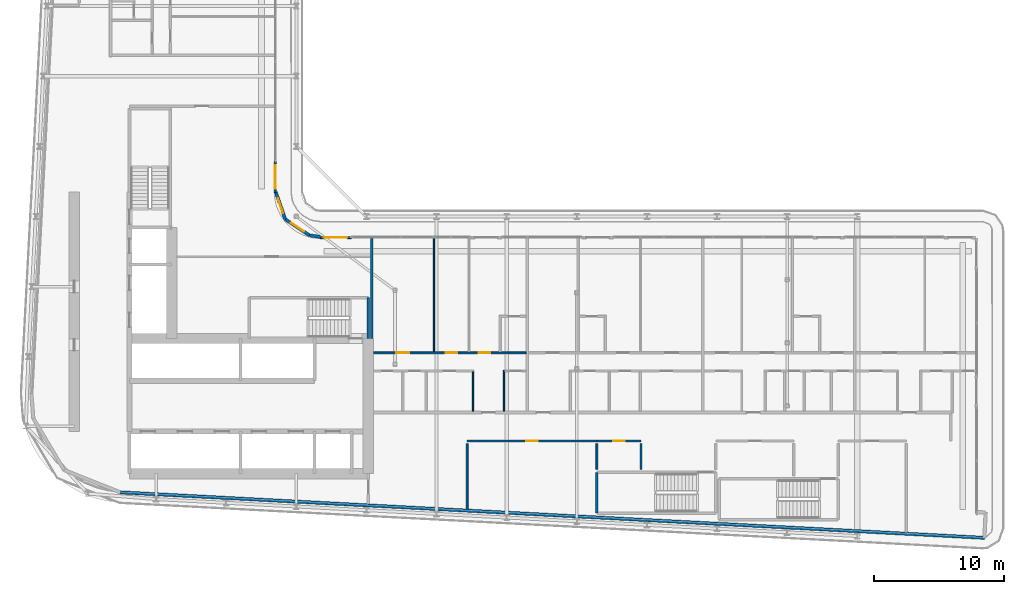
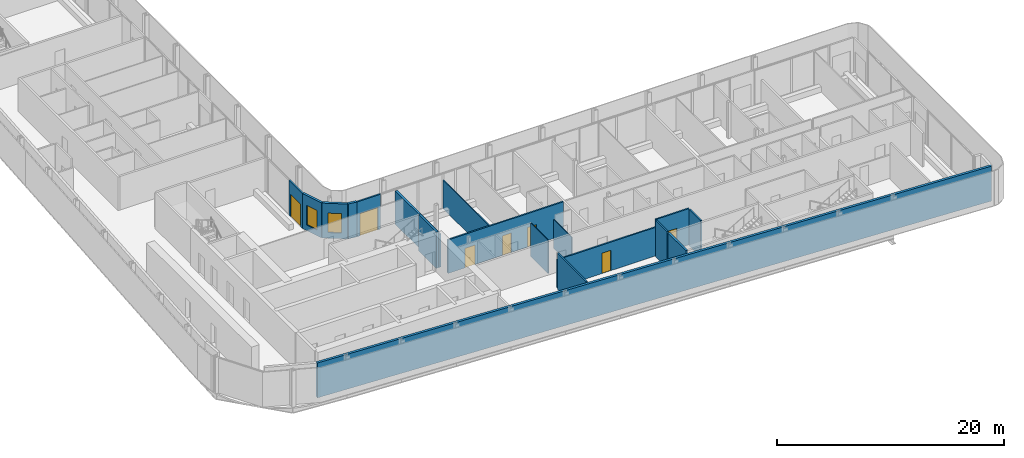
# One storey, part 15 of 29: 18 walls, 7 doors, 2 windows, 9 openings.
"""IFC4 building model written with IfcOpenShell, lengths in metres."""

import ifcopenshell
import ifcopenshell.guid

model = None  # the IFC model being written
_history = None  # IfcOwnerHistory: only IFC2X3 demands one
_inside = {}  # id of a spatial element -> (the spatial element, [elements in it])
_under = {}  # id of a project, library or spatial element -> (it, [spatial elements below it])
_declared = {}  # id of a project -> (the project, [libraries it declares])
_typed = {}  # id of a type object -> (the type object, [elements of that type])
_made_of = {}  # id of a material, layer set ... -> (it, [elements and type objects made of it])


def new_model(schema):
    """Start an empty IFC model of exactly this schema.

    Asked for "IFC4X3", IfcOpenShell would pick the latest addendum, in which some entities
    have other attributes; the version numbers below select the first issue.
    IFC2X3 requires an IfcOwnerHistory on every rooted entity: one is made here for all.
    """
    global model, _history
    if schema == "IFC4X3":
        model = ifcopenshell.file(schema_version=(4, 3, 0, 0))
    else:
        model = ifcopenshell.file(schema=schema)
    _inside.clear()
    _under.clear()
    _declared.clear()
    _typed.clear()
    _made_of.clear()
    _history = None
    if model.schema == "IFC2X3":
        org = make("IfcOrganization", Name="unknown")
        user = make(
            "IfcPersonAndOrganization",
            ThePerson=make("IfcPerson", FamilyName="unknown"),
            TheOrganization=org,
        )
        app = make(
            "IfcApplication",
            ApplicationDeveloper=org,
            Version="unknown",
            ApplicationFullName="unknown",
            ApplicationIdentifier="unknown",
        )
        _history = make(
            "IfcOwnerHistory",
            OwningUser=user,
            OwningApplication=app,
            ChangeAction="ADDED",
            CreationDate=0,
        )
    return model


def make(cls, **values):
    """One entity of the class cls with the attributes given. An attribute that is None is left unset."""
    return model.create_entity(
        cls, **{name: value for name, value in values.items() if value is not None}
    )


def rooted(cls, **values):
    """An entity with a GlobalId (a new one), such as an element, a storey or a relation."""
    return make(cls, GlobalId=ifcopenshell.guid.new(), OwnerHistory=_history, **values)


def si_unit(unit_type, name, prefix=None):
    """IfcSIUnit, for example si_unit("LENGTHUNIT", "METRE", prefix="MILLI")."""
    return make("IfcSIUnit", UnitType=unit_type, Prefix=prefix, Name=name)


def assignment(units):
    """IfcUnitAssignment: the units of a project."""
    return None if units is None else make("IfcUnitAssignment", Units=units)


def point(xyz):
    """IfcCartesianPoint."""
    return None if xyz is None else make("IfcCartesianPoint", Coordinates=xyz)


def direction(xyz):
    """IfcDirection."""
    return None if xyz is None else make("IfcDirection", DirectionRatios=xyz)


def frame(location, z_axis=None, x_axis=None):
    """IfcAxis2Placement3D, a coordinate frame: its origin and axes. An axis left out is left unset."""
    return make(
        "IfcAxis2Placement3D",
        Location=point(location),
        Axis=direction(z_axis),
        RefDirection=direction(x_axis),
    )


def frame_2d(location, x_axis=None):
    """IfcAxis2Placement2D, a coordinate frame in the plane: its origin and x axis."""
    return make(
        "IfcAxis2Placement2D", Location=point(location), RefDirection=direction(x_axis)
    )


def origin():
    """The frame at (0, 0, 0) with its axes left unset."""
    return frame((0.0, 0.0, 0.0))


def place(relative_to, where):
    """IfcLocalPlacement: puts the frame where relative to a parent placement (None: the world)."""
    return make(
        "IfcLocalPlacement", PlacementRelTo=relative_to, RelativePlacement=where
    )


def context(
    kind, dimensions, precision=None, world=None, true_north=None, identifier=None
):
    """IfcGeometricRepresentationContext, for example the 3D "Model" context."""
    return make(
        "IfcGeometricRepresentationContext",
        ContextIdentifier=identifier,
        ContextType=kind,
        CoordinateSpaceDimension=dimensions,
        Precision=precision,
        WorldCoordinateSystem=world,
        TrueNorth=true_north,
    )


def subcontext(parent, identifier, kind, view, scale=None):
    """IfcGeometricRepresentationSubContext, for example "Body" below "Model"."""
    return make(
        "IfcGeometricRepresentationSubContext",
        ContextIdentifier=identifier,
        ContextType=kind,
        ParentContext=parent,
        TargetScale=scale,
        TargetView=view,
    )


def project(units=None, contexts=None):
    """IfcProject with its units and contexts."""
    return rooted(
        "IfcProject",
        Name="project",
        RepresentationContexts=contexts,
        UnitsInContext=assignment(units),
    )


def spatial(cls, under=None, at=None, **own):
    """A site, building, storey or space (cls), placed at a placement, below another one or the project."""
    s = rooted(cls, ObjectPlacement=at, **own)
    if under is not None:
        _under.setdefault(under.id(), (under, []))[1].append(s)
    return s


def profile(cls, at=None, kind="AREA", **sizes):
    """A parametric profile (cls). Its sizes go by their IFC names, for example OverallWidth=200.0."""
    return make(cls, ProfileType=kind, Position=at, **sizes)


def rectangle(**sizes):
    """IfcRectangleProfileDef."""
    return profile("IfcRectangleProfileDef", **sizes)


def extrude(swept, where, along, depth):
    """IfcExtrudedAreaSolid: the profile swept, set in the frame where, extruded along a direction by depth."""
    return make(
        "IfcExtrudedAreaSolid",
        SweptArea=swept,
        Position=where,
        ExtrudedDirection=direction(along),
        Depth=depth,
    )


def shape(context_of_items, identifier, shape_type, items):
    """IfcShapeRepresentation: the items that make up one representation, for example the "Body"."""
    return make(
        "IfcShapeRepresentation",
        ContextOfItems=context_of_items,
        RepresentationIdentifier=identifier,
        RepresentationType=shape_type,
        Items=items,
    )


def source(mapping_origin, context_of_items, identifier, shape_type, items):
    """IfcRepresentationMap: a shape defined once, which mapped items show again and again."""
    return make(
        "IfcRepresentationMap",
        MappingOrigin=mapping_origin,
        MappedRepresentation=shape(context_of_items, identifier, shape_type, items),
    )


def transform(
    local_origin,
    x_axis=None,
    y_axis=None,
    z_axis=None,
    scale=None,
    scale2=None,
    scale3=None,
    uniform=True,
):
    """IfcCartesianTransformationOperator3D, or its non-uniform kind. x_axis, y_axis, z_axis: its Axis1, 2, 3."""
    if uniform:
        return make(
            "IfcCartesianTransformationOperator3D",
            Axis1=direction(x_axis),
            Axis2=direction(y_axis),
            LocalOrigin=point(local_origin),
            Scale=scale,
            Axis3=direction(z_axis),
        )
    return make(
        "IfcCartesianTransformationOperator3DnonUniform",
        Axis1=direction(x_axis),
        Axis2=direction(y_axis),
        LocalOrigin=point(local_origin),
        Scale=scale,
        Axis3=direction(z_axis),
        Scale2=scale2,
        Scale3=scale3,
    )


def mapped(mapping_source, mapping_target):
    """IfcMappedItem: shows the shape of a source again, moved by a transform."""
    return make(
        "IfcMappedItem", MappingSource=mapping_source, MappingTarget=mapping_target
    )


def material(Name=None, Category=None):
    """IfcMaterial."""
    return make("IfcMaterial", Name=Name, Category=Category)


def layer(
    of_material, thickness, ventilated=None, Name=None, Category=None, Priority=None
):
    """IfcMaterialLayer: one layer of a wall or slab, of a material (None: an air gap)."""
    return make(
        "IfcMaterialLayer",
        Material=of_material,
        LayerThickness=thickness,
        IsVentilated=ventilated,
        Name=Name,
        Category=Category,
        Priority=Priority,
    )


def layer_set(layers, Name=None):
    """IfcMaterialLayerSet."""
    return make("IfcMaterialLayerSet", MaterialLayers=layers, LayerSetName=Name)


def made_of(thing, what):
    """Note that an element or type object is made of a material, layer set ...; save() writes the relation."""
    if what is not None:
        _made_of.setdefault(what.id(), (what, []))[1].append(thing)
    return thing


def type_object(cls, material=None, **own):
    """A type object (cls), such as IfcWallType, which elements share."""
    return made_of(rooted(cls, **own), material)


def element(
    cls,
    number,
    at=None,
    inside=None,
    cuts=None,
    type_object=None,
    material=None,
    context=None,
    identifier="Body",
    shape_type=None,
    held_by="IfcProductDefinitionShape",
    body=None,
    shapes=None,
    **own,
):
    """One element of the class cls, such as IfcWall. Its Tag is "e" and its number.

    at: its placement. inside: the storey or other place that contains it. cuts: it is an
    opening in that element (IfcRelVoidsElement). A single representation is given by context,
    identifier, shape_type and body (its items); several are given by shapes. held_by: the class
    of the entity that holds the representations. save() writes the other relations.
    """
    e = rooted(cls, Tag="e%d" % number, ObjectPlacement=at, **own)
    if body is not None:
        shapes = [shape(context, identifier, shape_type, body)]
    if shapes is not None:
        e.Representation = make(held_by, Representations=shapes)
    if inside is not None:
        _inside.setdefault(inside.id(), (inside, []))[1].append(e)
    if cuts is not None:
        rooted(
            "IfcRelVoidsElement", RelatingBuildingElement=cuts, RelatedOpeningElement=e
        )
    if type_object is not None:
        _typed.setdefault(type_object.id(), (type_object, []))[1].append(e)
    return made_of(e, material)


def fill(opening, filler):
    """IfcRelFillsElement: the door or window that sits in an opening."""
    return rooted(
        "IfcRelFillsElement",
        RelatingOpeningElement=opening,
        RelatedBuildingElement=filler,
    )


def aggregate(whole, parts):
    """IfcRelAggregates: a whole, such as a stair, and the parts it consists of."""
    return rooted("IfcRelAggregates", RelatingObject=whole, RelatedObjects=parts)


def save(model, path):
    """Write the relations noted so far, then the file.

    IfcRelAggregates (storeys below a building ...), IfcRelContainedInSpatialStructure (elements
    in a storey), IfcRelDefinesByType, IfcRelAssociatesMaterial and IfcRelDeclares: one each for
    every whole, place, type object, material and project.
    """
    for whole, parts in _under.values():
        aggregate(whole, parts)
    for where, things in _inside.values():
        rooted(
            "IfcRelContainedInSpatialStructure",
            RelatedElements=things,
            RelatingStructure=where,
        )
    for kind, things in _typed.values():
        rooted("IfcRelDefinesByType", RelatedObjects=things, RelatingType=kind)
    for what, things in _made_of.values():
        rooted("IfcRelAssociatesMaterial", RelatedObjects=things, RelatingMaterial=what)
    for by, libraries in _declared.values():
        rooted("IfcRelDeclares", RelatingContext=by, RelatedDefinitions=libraries)
    model.write(path)


model = new_model("IFC4")

# Units and contexts
model_context = context("Model", 3, precision=1e-05, world=origin(), true_north=direction((0.0, 1.0)))
body_context = subcontext(model_context, "Body", "Model", "MODEL_VIEW")
ifc_project = project(units=[si_unit("LENGTHUNIT", "METRE"), si_unit("AREAUNIT", "SQUARE_METRE"), si_unit("VOLUMEUNIT", "CUBIC_METRE"), si_unit("PLANEANGLEUNIT", "RADIAN"), si_unit("MASSUNIT", "GRAM", prefix="KILO")], contexts=[model_context])

# Site, building, storey
site_placement = place(None, origin())
site = spatial("IfcSite", under=ifc_project, at=site_placement, CompositionType="ELEMENT")
building_placement = place(site_placement, origin())
building = spatial("IfcBuilding", under=site, at=building_placement, Name="Kheshtan School and Residences Tower", CompositionType="ELEMENT")
storey_placement = place(building_placement, frame((0.0, 0.0, 183.800048828125)))
storey = spatial("IfcBuildingStorey", under=building, at=storey_placement, Name="L43", CompositionType="ELEMENT", Elevation=183.800048828125)

# Wall, opening, window
ifc_material_1 = material(Name="Concrete C40/50 with ceramic cladding and mineral wool insulation", Category="concrete")
ifc_layer_1 = layer(ifc_material_1, 0.25)
ifc_layer_set_1 = layer_set([ifc_layer_1], Name="External wall 250 ceramic clad")
wall_type_1 = type_object("IfcWallType", Name="External wall 250 ceramic clad", PredefinedType="SOLIDWALL", material=ifc_layer_set_1)
wall_1_placement = place(storey_placement, frame((46.01806640625, 47.470947265625, 0.0), z_axis=(0.0, 0.0, 1.0), x_axis=(0.328791208903, -0.944402637093, 0.0)))
wall_1 = element("IfcWall", 1, at=wall_1_placement, inside=storey, type_object=wall_type_1, Name="External wall L43 9", PredefinedType="SOLIDWALL", context=body_context, shape_type="SweptSolid", body=[
    extrude(rectangle(XDim=2.20458984375, YDim=0.25, at=frame_2d((1.102294921875, 0.0))), origin(), (0.0, 0.0, 1.0), 3.75),
])
opening_1_placement = place(wall_1_placement, frame((0.5029296875, 0.0, 0.60009765625)))
opening_1 = element("IfcOpeningElement", 2, at=opening_1_placement, cuts=wall_1, Name="Opening WN-E", PredefinedType="OPENING", context=body_context, shape_type="SweptSolid", body=[
    extrude(rectangle(XDim=1.199951171875, YDim=2.10009765625, at=frame_2d((0.60009765625, 1.050048828125))), frame((0.0, 0.135009765625, 0.0), z_axis=(0.0, -1.0, 0.0), x_axis=(1.0, 0.0, 0.0)), (0.0, 0.0, 1.0), 0.27001953125),
])
ifc_material_2 = material(Name="Clear low-e glass in thermally broken aluminium frame", Category="aluminium")
window_type = type_object("IfcWindowType", Name="Window WN-E", PartitioningType="SINGLE_PANEL", PredefinedType="WINDOW", material=ifc_material_2)
shared_shape_1 = source(origin(), body_context, "Body", "SweptSolid", [
    extrude(rectangle(XDim=1.199951171875, YDim=2.10009765625, at=frame_2d((0.60009765625, 1.050048828125))), frame((0.0, 0.030029296875, 0.0), z_axis=(0.0, -1.0, 0.0), x_axis=(1.0, 0.0, 0.0)), (0.0, 0.0, 1.0), 0.06005859375),
])
window_1_placement = place(opening_1_placement, origin())
window_1 = element("IfcWindow", 3, at=window_1_placement, inside=storey, type_object=window_type, Name="Window L43 9", OverallHeight=2.10009765625, OverallWidth=1.199951171875, PartitioningType="SINGLE_PANEL", PredefinedType="WINDOW", context=body_context, shape_type="MappedRepresentation", body=[
    mapped(shared_shape_1, transform((0.0, 0.0, 0.0), x_axis=(1.0, 0.0, 0.0), y_axis=(0.0, 1.0, 0.0), z_axis=(0.0, 0.0, 1.0), scale=1.0)),
])
fill(opening_1, window_1)

wall_2_placement = place(storey_placement, frame((46.742919921875, 45.388916015625, 0.0), z_axis=(0.0, 0.0, 1.0), x_axis=(0.831449265529, -0.555600682912, 0.0)))
wall_2 = element("IfcWall", 4, at=wall_2_placement, inside=storey, type_object=wall_type_1, Name="External wall L43 10", PredefinedType="SOLIDWALL", context=body_context, shape_type="SweptSolid", body=[
    extrude(rectangle(XDim=2.25146484375, YDim=0.25, at=frame_2d((1.125732421875, 0.0))), origin(), (0.0, 0.0, 1.0), 3.75),
])
opening_2_placement = place(wall_2_placement, frame((0.52490234375, 0.0, 0.60009765625)))
opening_2 = element("IfcOpeningElement", 5, at=opening_2_placement, cuts=wall_2, Name="Opening WN-E", PredefinedType="OPENING", context=body_context, shape_type="SweptSolid", body=[
    extrude(rectangle(XDim=1.199951171875, YDim=2.10009765625, at=frame_2d((0.60009765625, 1.050048828125))), frame((0.0, 0.135009765625, 0.0), z_axis=(0.0, -1.0, 0.0), x_axis=(1.0, 0.0, 0.0)), (0.0, 0.0, 1.0), 0.27001953125),
])
window_2_placement = place(opening_2_placement, origin())
window_2 = element("IfcWindow", 6, at=window_2_placement, inside=storey, type_object=window_type, Name="Window L43 10", OverallHeight=2.10009765625, OverallWidth=1.199951171875, PartitioningType="SINGLE_PANEL", PredefinedType="WINDOW", context=body_context, shape_type="MappedRepresentation", body=[
    mapped(shared_shape_1, transform((0.0, 0.0, 0.0), x_axis=(1.0, 0.0, 0.0), y_axis=(0.0, 1.0, 0.0), z_axis=(0.0, 0.0, 1.0), scale=1.0)),
])
fill(opening_2, window_2)

# Walls
wall_3_placement = place(storey_placement, frame((48.614990234375, 44.137939453125, 0.0), z_axis=(0.0, 0.0, 1.0), x_axis=(0.990741504246, -0.135761819977, 0.0)))
element("IfcWall", 7, at=wall_3_placement, inside=storey, type_object=wall_type_1, Name="External wall L43 11", PredefinedType="SOLIDWALL", context=body_context, shape_type="SweptSolid", body=[
    extrude(rectangle(XDim=0.83984375, YDim=0.25, at=frame_2d((0.419921875, 0.0))), origin(), (0.0, 0.0, 1.0), 3.75),
])
wall_4_placement = place(storey_placement, frame((100.5859375, 20.85009765625, 0.0), z_axis=(0.0, 0.0, 1.0), x_axis=(-0.99861746497, 0.052565755559, 0.0)))
element("IfcWall", 8, at=wall_4_placement, inside=storey, type_object=wall_type_1, Name="External wall L43 16", PredefinedType="SOLIDWALL", context=body_context, shape_type="SweptSolid", body=[
    extrude(rectangle(XDim=66.638916015625, YDim=0.25, at=frame_2d((33.3193359375, 0.0))), origin(), (0.0, 0.0, 1.0), 3.75),
])

# Wall, opening, door
ifc_material_3 = material(Name="Aluminium frame wall with insulated infill", Category="aluminium")
ifc_layer_2 = layer(ifc_material_3, 0.14990234375)
ifc_layer_set_2 = layer_set([ifc_layer_2], Name="Glazing frame wall 150")
wall_type_2 = type_object("IfcWallType", Name="Glazing frame wall 150", PredefinedType="SOLIDWALL", material=ifc_layer_set_2)
wall_5_placement = place(storey_placement, frame((45.97509765625, 49.830078125, 0.0), z_axis=(0.0, 0.0, 1.0), x_axis=(0.0, -1.0, 0.0)))
wall_5 = element("IfcWall", 9, at=wall_5_placement, inside=storey, type_object=wall_type_2, Name="Balcony door wall L43 8.5", PredefinedType="SOLIDWALL", context=body_context, shape_type="SweptSolid", body=[
    extrude(rectangle(XDim=2.400146484375, YDim=0.14990234375, at=frame_2d((1.2001953125, 0.0))), origin(), (0.0, 0.0, 1.0), 3.75),
])
opening_3_placement = place(wall_5_placement, frame((0.300048828125, 0.0, 0.0)))
opening_3 = element("IfcOpeningElement", 10, at=opening_3_placement, cuts=wall_5, Name="Opening BD", PredefinedType="OPENING", context=body_context, shape_type="SweptSolid", body=[
    extrude(rectangle(XDim=1.800048828125, YDim=2.39990234375, at=frame_2d((0.89990234375, 1.199951171875))), frame((0.0, 0.0849609375, 0.0), z_axis=(0.0, -1.0, 0.0), x_axis=(1.0, 0.0, 0.0)), (0.0, 0.0, 1.0), 0.169921875),
])
door_type_1 = type_object("IfcDoorType", Name="Balcony sliding door", OperationType="SLIDING_TO_LEFT", PredefinedType="DOOR", material=ifc_material_2)
shared_shape_2 = source(origin(), body_context, "Body", "SweptSolid", [
    extrude(rectangle(XDim=1.800048828125, YDim=2.39990234375, at=frame_2d((0.89990234375, 1.199951171875))), frame((0.0, 0.02490234375, 0.0), z_axis=(0.0, -1.0, 0.0), x_axis=(1.0, 0.0, 0.0)), (0.0, 0.0, 1.0), 0.050048828125),
])
door_1_placement = place(opening_3_placement, origin())
door_1 = element("IfcDoor", 11, at=door_1_placement, inside=storey, type_object=door_type_1, Name="Balcony door L43 8.5", OperationType="SLIDING_TO_LEFT", OverallHeight=2.39990234375, OverallWidth=1.800048828125, PredefinedType="DOOR", context=body_context, shape_type="MappedRepresentation", body=[
    mapped(shared_shape_2, transform((0.0, 0.0, 0.0), x_axis=(1.0, 0.0, 0.0), y_axis=(0.0, 1.0, 0.0), z_axis=(0.0, 0.0, 1.0), scale=1.0)),
])
fill(opening_3, door_1)

wall_6_placement = place(storey_placement, frame((49.429931640625, 43.97509765625, 0.0), z_axis=(0.0, 0.0, 1.0), x_axis=(1.0, 0.0, 0.0)))
wall_6 = element("IfcWall", 12, at=wall_6_placement, inside=storey, type_object=wall_type_2, Name="Balcony door wall L43 12.1", PredefinedType="SOLIDWALL", context=body_context, shape_type="SweptSolid", body=[
    extrude(rectangle(XDim=2.400146484375, YDim=0.14990234375, at=frame_2d((1.2001953125, 0.0))), origin(), (0.0, 0.0, 1.0), 3.75),
])
opening_4_placement = place(wall_6_placement, frame((0.300048828125, 0.0, 0.0)))
opening_4 = element("IfcOpeningElement", 13, at=opening_4_placement, cuts=wall_6, Name="Opening BD", PredefinedType="OPENING", context=body_context, shape_type="SweptSolid", body=[
    extrude(rectangle(XDim=1.800048828125, YDim=2.39990234375, at=frame_2d((0.89990234375, 1.199951171875))), frame((0.0, 0.0849609375, 0.0), z_axis=(0.0, -1.0, 0.0), x_axis=(1.0, 0.0, 0.0)), (0.0, 0.0, 1.0), 0.169921875),
])
door_2_placement = place(opening_4_placement, origin())
door_2 = element("IfcDoor", 14, at=door_2_placement, inside=storey, type_object=door_type_1, Name="Balcony door L43 12.1", OperationType="SLIDING_TO_LEFT", OverallHeight=2.39990234375, OverallWidth=1.800048828125, PredefinedType="DOOR", context=body_context, shape_type="MappedRepresentation", body=[
    mapped(shared_shape_2, transform((0.0, 0.0, 0.0), x_axis=(1.0, 0.0, 0.0), y_axis=(0.0, 1.0, 0.0), z_axis=(0.0, 0.0, 1.0), scale=1.0)),
])
fill(opening_4, door_2)

# Walls
ifc_material_4 = material(Name="Gypsum board on steel studs", Category="steel")
ifc_layer_3 = layer(ifc_material_4, 0.10009765625)
ifc_layer_set_3 = layer_set([ifc_layer_3], Name="Gypsum partition 100")
wall_type_3 = type_object("IfcWallType", Name="Gypsum partition 100", PredefinedType="PARTITIONING", material=ifc_layer_set_3)
wall_7_placement = place(storey_placement, frame((58.199951171875, 35.175048828125, 0.0), z_axis=(0.0, 0.0, 1.0), x_axis=(0.0, 1.0, 0.0)))
element("IfcWall", 15, at=wall_7_placement, inside=storey, type_object=wall_type_3, Name="Partition L43-040", PredefinedType="PARTITIONING", context=body_context, shape_type="SweptSolid", body=[
    extrude(rectangle(XDim=8.724853515625, YDim=0.10009765625, at=frame_2d((4.3623046875, 0.0))), origin(), (0.0, 0.0, 1.0), 3.072021484375),
])
wall_8_placement = place(storey_placement, frame((61.199951171875, 30.60009765625, 0.0), z_axis=(0.0, 0.0, 1.0), x_axis=(0.0, 1.0, 0.0)))
element("IfcWall", 16, at=wall_8_placement, inside=storey, type_object=wall_type_3, Name="Partition L43-042", PredefinedType="PARTITIONING", context=body_context, shape_type="SweptSolid", body=[
    extrude(rectangle(XDim=3.02490234375, YDim=0.10009765625, at=frame_2d((1.512451171875, 0.0))), origin(), (0.0, 0.0, 1.0), 3.599853515625),
])
wall_9_placement = place(storey_placement, frame((63.60009765625, 30.60009765625, 0.0), z_axis=(0.0, 0.0, 1.0), x_axis=(0.0, 1.0, 0.0)))
element("IfcWall", 17, at=wall_9_placement, inside=storey, type_object=wall_type_3, Name="Partition L43-045", PredefinedType="PARTITIONING", context=body_context, shape_type="SweptSolid", body=[
    extrude(rectangle(XDim=3.14990234375, YDim=0.10009765625, at=frame_2d((1.574951171875, 0.0))), origin(), (0.0, 0.0, 1.0), 3.072021484375),
])

# Wall, opening, door
ifc_material_5 = material(Name="Fire-board shaft wall system")
ifc_layer_4 = layer(ifc_material_5, 0.14990234375)
ifc_layer_set_4 = layer_set([ifc_layer_4], Name="Service room wall 150")
wall_type_4 = type_object("IfcWallType", Name="Service room wall 150", PredefinedType="PARTITIONING", material=ifc_layer_set_4)
wall_10_placement = place(storey_placement, frame((60.75, 28.300048828125, 0.0), z_axis=(0.0, 0.0, 1.0), x_axis=(1.0, 0.0, 0.0)))
wall_10 = element("IfcWall", 18, at=wall_10_placement, inside=storey, type_object=wall_type_4, Name="Service room wall", PredefinedType="PARTITIONING", context=body_context, shape_type="SweptSolid", body=[
    extrude(rectangle(XDim=10.0, YDim=0.14990234375, at=frame_2d((5.0, 0.0))), origin(), (0.0, 0.0, 1.0), 3.072021484375),
])
opening_5_placement = place(wall_10_placement, frame((4.550048828125, 0.0, 0.0)))
opening_5 = element("IfcOpeningElement", 19, at=opening_5_placement, cuts=wall_10, Name="Opening SR90", PredefinedType="OPENING", context=body_context, shape_type="SweptSolid", body=[
    extrude(rectangle(XDim=0.89990234375, YDim=2.199951171875, at=frame_2d((0.449951171875, 1.10009765625))), frame((0.0, 0.0849609375, 0.0), z_axis=(0.0, -1.0, 0.0), x_axis=(1.0, 0.0, 0.0)), (0.0, 0.0, 1.0), 0.169921875),
])
ifc_material_6 = material(Name="Steel door leaf, galvanised", Category="steel")
door_type_2 = type_object("IfcDoorType", Name="Service room door 900 steel 90 min", OperationType="SINGLE_SWING_LEFT", PredefinedType="DOOR", material=ifc_material_6)
shared_shape_3 = source(origin(), body_context, "Body", "SweptSolid", [
    extrude(rectangle(XDim=0.89990234375, YDim=2.199951171875, at=frame_2d((0.449951171875, 1.10009765625))), frame((0.0, 0.02490234375, 0.0), z_axis=(0.0, -1.0, 0.0), x_axis=(1.0, 0.0, 0.0)), (0.0, 0.0, 1.0), 0.050048828125),
])
door_3_placement = place(opening_5_placement, origin())
door_3 = element("IfcDoor", 20, at=door_3_placement, inside=storey, type_object=door_type_2, Name="Service room door", OperationType="SINGLE_SWING_LEFT", OverallHeight=2.199951171875, OverallWidth=0.89990234375, PredefinedType="DOOR", context=body_context, shape_type="MappedRepresentation", body=[
    mapped(shared_shape_3, transform((0.0, 0.0, 0.0), x_axis=(1.0, 0.0, 0.0), y_axis=(0.0, 1.0, 0.0), z_axis=(0.0, 0.0, 1.0), scale=1.0)),
])
fill(opening_5, door_3)

# Walls
wall_11_placement = place(storey_placement, frame((60.75, 23.074951171875, 0.0), z_axis=(0.0, 0.0, 1.0), x_axis=(0.0, 1.0, 0.0)))
element("IfcWall", 21, at=wall_11_placement, inside=storey, type_object=wall_type_4, Name="Service room wall", PredefinedType="PARTITIONING", context=body_context, shape_type="SweptSolid", body=[
    extrude(rectangle(XDim=5.030029296875, YDim=0.14990234375, at=frame_2d((2.51513671875, 0.0))), origin(), (0.0, 0.0, 1.0), 3.89990234375),
])
wall_12_placement = place(storey_placement, frame((70.75, 26.1201171875, 0.0), z_axis=(0.0, 0.0, 1.0), x_axis=(0.0, 1.0, 0.0)))
element("IfcWall", 22, at=wall_12_placement, inside=storey, type_object=wall_type_4, Name="Service room wall", PredefinedType="PARTITIONING", context=body_context, shape_type="SweptSolid", body=[
    extrude(rectangle(XDim=1.98486328125, YDim=0.14990234375, at=frame_2d((0.992431640625, 0.0))), origin(), (0.0, 0.0, 1.0), 3.89990234375),
])

# Wall, opening, door
wall_13_placement = place(storey_placement, frame((70.75, 28.300048828125, 0.0), z_axis=(0.0, 0.0, 1.0), x_axis=(1.0, 0.0, 0.0)))
wall_13 = element("IfcWall", 23, at=wall_13_placement, inside=storey, type_object=wall_type_4, Name="Service room wall", PredefinedType="PARTITIONING", context=body_context, shape_type="SweptSolid", body=[
    extrude(rectangle(XDim=3.39404296875, YDim=0.14990234375, at=frame_2d((1.697021484375, 0.0))), origin(), (0.0, 0.0, 1.0), 3.89990234375),
])
opening_6_placement = place(wall_13_placement, frame((1.2470703125, 0.0, 0.0)))
opening_6 = element("IfcOpeningElement", 24, at=opening_6_placement, cuts=wall_13, Name="Opening SR90", PredefinedType="OPENING", context=body_context, shape_type="SweptSolid", body=[
    extrude(rectangle(XDim=0.89990234375, YDim=2.199951171875, at=frame_2d((0.449951171875, 1.10009765625))), frame((0.0, 0.0849609375, 0.0), z_axis=(0.0, -1.0, 0.0), x_axis=(1.0, 0.0, 0.0)), (0.0, 0.0, 1.0), 0.169921875),
])
door_4_placement = place(opening_6_placement, origin())
door_4 = element("IfcDoor", 25, at=door_4_placement, inside=storey, type_object=door_type_2, Name="Service room door", OperationType="SINGLE_SWING_LEFT", OverallHeight=2.199951171875, OverallWidth=0.89990234375, PredefinedType="DOOR", context=body_context, shape_type="MappedRepresentation", body=[
    mapped(shared_shape_3, transform((0.0, 0.0, 0.0), x_axis=(1.0, 0.0, 0.0), y_axis=(0.0, 1.0, 0.0), z_axis=(0.0, 0.0, 1.0), scale=1.0)),
])
fill(opening_6, door_4)

# Walls
wall_14_placement = place(storey_placement, frame((74.14404296875, 26.1201171875, 0.0), z_axis=(0.0, 0.0, 1.0), x_axis=(0.0, 1.0, 0.0)))
element("IfcWall", 26, at=wall_14_placement, inside=storey, type_object=wall_type_4, Name="Service room wall", PredefinedType="PARTITIONING", context=body_context, shape_type="SweptSolid", body=[
    extrude(rectangle(XDim=1.98486328125, YDim=0.14990234375, at=frame_2d((0.992431640625, 0.0))), origin(), (0.0, 0.0, 1.0), 3.89990234375),
])
ifc_material_7 = material(Name="Concrete C40/50", Category="concrete")
ifc_layer_5 = layer(ifc_material_7, 0.199951171875)
ifc_layer_set_5 = layer_set([ifc_layer_5], Name="Stair enclosure wall 200 Concrete C40/50")
wall_type_5 = type_object("IfcWallType", Name="Stair enclosure wall 200 Concrete C40/50", PredefinedType="SHEAR", material=ifc_layer_set_5)
wall_15_placement = place(storey_placement, frame((53.14990234375, 36.199951171875, 0.0), z_axis=(0.0, 0.0, 1.0), x_axis=(0.0, 1.0, 0.0)))
element("IfcWall", 27, at=wall_15_placement, inside=storey, type_object=wall_type_5, Name="Stair enclosure wall ST1", PredefinedType="SHEAR", context=body_context, shape_type="SweptSolid", body=[
    extrude(rectangle(XDim=3.150146484375, YDim=0.199951171875, at=frame_2d((1.5751953125, 0.0))), origin(), (0.0, 0.0, 1.0), 3.89990234375),
])
wall_16_placement = place(storey_placement, frame((70.75, 22.75, 0.0), z_axis=(0.0, 0.0, 1.0), x_axis=(0.0, 1.0, 0.0)))
element("IfcWall", 28, at=wall_16_placement, inside=storey, type_object=wall_type_5, Name="Stair enclosure wall ST5", PredefinedType="SHEAR", context=body_context, shape_type="SweptSolid", body=[
    extrude(rectangle(XDim=3.14990234375, YDim=0.199951171875, at=frame_2d((1.574951171875, 0.0))), origin(), (0.0, 0.0, 1.0), 3.89990234375),
])
ifc_material_8 = material(Name="Twin gypsum board on steel studs with mineral wool", Category="steel")
ifc_layer_6 = layer(ifc_material_8, 0.199951171875)
ifc_layer_set_6 = layer_set([ifc_layer_6], Name="Unit demising wall 200")
wall_type_6 = type_object("IfcWallType", Name="Unit demising wall 200", PredefinedType="PARTITIONING", material=ifc_layer_set_6)
wall_17_placement = place(storey_placement, frame((53.39990234375, 36.198974609375, 0.0), z_axis=(0.0, 0.0, 1.0), x_axis=(0.0, 1.0, 0.0)))
element("IfcWall", 29, at=wall_17_placement, inside=storey, type_object=wall_type_6, Name="Partition L43-034", PredefinedType="PARTITIONING", context=body_context, shape_type="SweptSolid", body=[
    extrude(rectangle(XDim=7.700927734375, YDim=0.199951171875, at=frame_2d((3.8505859375, 0.0))), origin(), (0.0, 0.0, 1.0), 3.599853515625),
])

# Wall, openings, doors
ifc_material_9 = material(Name="Moisture-resistant gypsum board on steel studs", Category="steel")
ifc_layer_7 = layer(ifc_material_9, 0.14990234375)
ifc_layer_set_7 = layer_set([ifc_layer_7], Name="Wet-room partition 150")
wall_type_7 = type_object("IfcWallType", Name="Wet-room partition 150", PredefinedType="PARTITIONING", material=ifc_layer_set_7)
wall_18_placement = place(storey_placement, frame((53.549072265625, 35.10009765625, 0.0), z_axis=(0.0, 0.0, 1.0), x_axis=(1.0, 0.0, 0.0)))
wall_18 = element("IfcWall", 30, at=wall_18_placement, inside=storey, type_object=wall_type_7, Name="Partition L43-037", PredefinedType="PARTITIONING", context=body_context, shape_type="SweptSolid", body=[
    extrude(rectangle(XDim=11.7509765625, YDim=0.14990234375, at=frame_2d((5.87548828125, 0.0))), origin(), (0.0, 0.0, 1.0), 3.599853515625),
])
opening_7_placement = place(wall_18_placement, frame((5.551025390625, 0.0, 0.0)))
opening_7 = element("IfcOpeningElement", 31, at=opening_7_placement, cuts=wall_18, Name="Opening D43-002", PredefinedType="OPENING", context=body_context, shape_type="SweptSolid", body=[
    extrude(rectangle(XDim=0.89990234375, YDim=2.10009765625, at=frame_2d((0.449951171875, 1.050048828125))), frame((0.0, 0.0849609375, 0.0), z_axis=(0.0, -1.0, 0.0), x_axis=(1.0, 0.0, 0.0)), (0.0, 0.0, 1.0), 0.169921875),
])
opening_8_placement = place(wall_18_placement, frame((1.7509765625, 0.0, 0.0)))
opening_8 = element("IfcOpeningElement", 32, at=opening_8_placement, cuts=wall_18, Name="Opening D43-006", PredefinedType="OPENING", context=body_context, shape_type="SweptSolid", body=[
    extrude(rectangle(XDim=1.0, YDim=2.10009765625, at=frame_2d((0.5, 1.050048828125))), frame((0.0, 0.0849609375, 0.0), z_axis=(0.0, -1.0, 0.0), x_axis=(1.0, 0.0, 0.0)), (0.0, 0.0, 1.0), 0.169921875),
])
opening_9_placement = place(wall_18_placement, frame((8.10107421875, 0.0, 0.0)))
opening_9 = element("IfcOpeningElement", 33, at=opening_9_placement, cuts=wall_18, Name="Opening D43-007", PredefinedType="OPENING", context=body_context, shape_type="SweptSolid", body=[
    extrude(rectangle(XDim=0.89990234375, YDim=2.10009765625, at=frame_2d((0.449951171875, 1.050048828125))), frame((0.0, 0.0849609375, 0.0), z_axis=(0.0, -1.0, 0.0), x_axis=(1.0, 0.0, 0.0)), (0.0, 0.0, 1.0), 0.169921875),
])
ifc_material_10 = material(Name="Veneered timber door leaf", Category="wood")
door_type_3 = type_object("IfcDoorType", Name="Door 1000 x 2100", OperationType="SINGLE_SWING_LEFT", PredefinedType="DOOR", material=ifc_material_10)
shared_shape_4 = source(origin(), body_context, "Body", "SweptSolid", [
    extrude(rectangle(XDim=1.0, YDim=2.10009765625, at=frame_2d((0.5, 1.050048828125))), frame((0.0, 0.02490234375, 0.0), z_axis=(0.0, -1.0, 0.0), x_axis=(1.0, 0.0, 0.0)), (0.0, 0.0, 1.0), 0.050048828125),
])
door_5_placement = place(opening_8_placement, origin())
door_5 = element("IfcDoor", 34, at=door_5_placement, inside=storey, type_object=door_type_3, Name="Door D43-006", OperationType="SINGLE_SWING_LEFT", OverallHeight=2.10009765625, OverallWidth=1.0, PredefinedType="DOOR", context=body_context, shape_type="MappedRepresentation", body=[
    mapped(shared_shape_4, transform((0.0, 0.0, 0.0), x_axis=(1.0, 0.0, 0.0), y_axis=(0.0, 1.0, 0.0), z_axis=(0.0, 0.0, 1.0), scale=1.0)),
])
fill(opening_8, door_5)
door_type_4 = type_object("IfcDoorType", Name="Door 900 x 2100", OperationType="SINGLE_SWING_LEFT", PredefinedType="DOOR", material=ifc_material_10)
shared_shape_5 = source(origin(), body_context, "Body", "SweptSolid", [
    extrude(rectangle(XDim=0.89990234375, YDim=2.10009765625, at=frame_2d((0.449951171875, 1.050048828125))), frame((0.0, 0.02490234375, 0.0), z_axis=(0.0, -1.0, 0.0), x_axis=(1.0, 0.0, 0.0)), (0.0, 0.0, 1.0), 0.050048828125),
])
door_6_placement = place(opening_7_placement, origin())
door_6 = element("IfcDoor", 35, at=door_6_placement, inside=storey, type_object=door_type_4, Name="Door D43-002", OperationType="SINGLE_SWING_RIGHT", OverallHeight=2.10009765625, OverallWidth=0.89990234375, PredefinedType="DOOR", context=body_context, shape_type="MappedRepresentation", body=[
    mapped(shared_shape_5, transform((0.0, 0.0, 0.0), x_axis=(1.0, 0.0, 0.0), y_axis=(0.0, 1.0, 0.0), z_axis=(0.0, 0.0, 1.0), scale=1.0)),
])
fill(opening_7, door_6)
door_7_placement = place(opening_9_placement, origin())
door_7 = element("IfcDoor", 36, at=door_7_placement, inside=storey, type_object=door_type_4, Name="Door D43-007", OperationType="SINGLE_SWING_RIGHT", OverallHeight=2.10009765625, OverallWidth=0.89990234375, PredefinedType="DOOR", context=body_context, shape_type="MappedRepresentation", body=[
    mapped(shared_shape_5, transform((0.0, 0.0, 0.0), x_axis=(1.0, 0.0, 0.0), y_axis=(0.0, 1.0, 0.0), z_axis=(0.0, 0.0, 1.0), scale=1.0)),
])
fill(opening_9, door_7)

save(model, "model.ifc")
